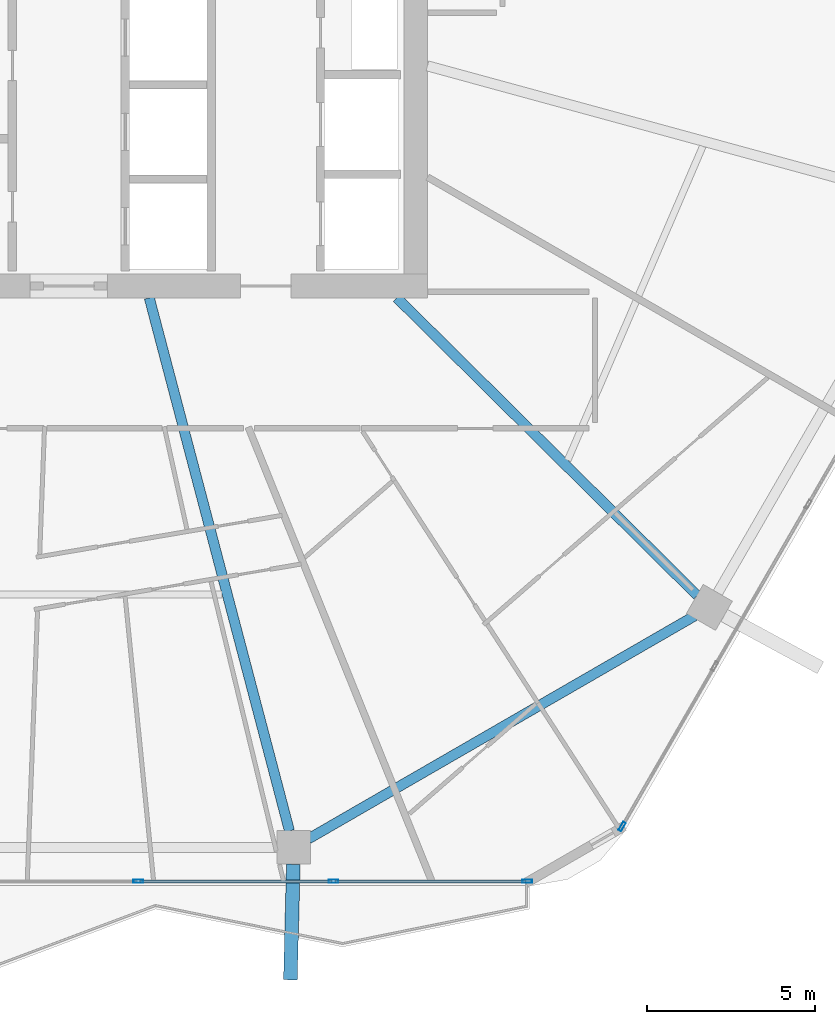
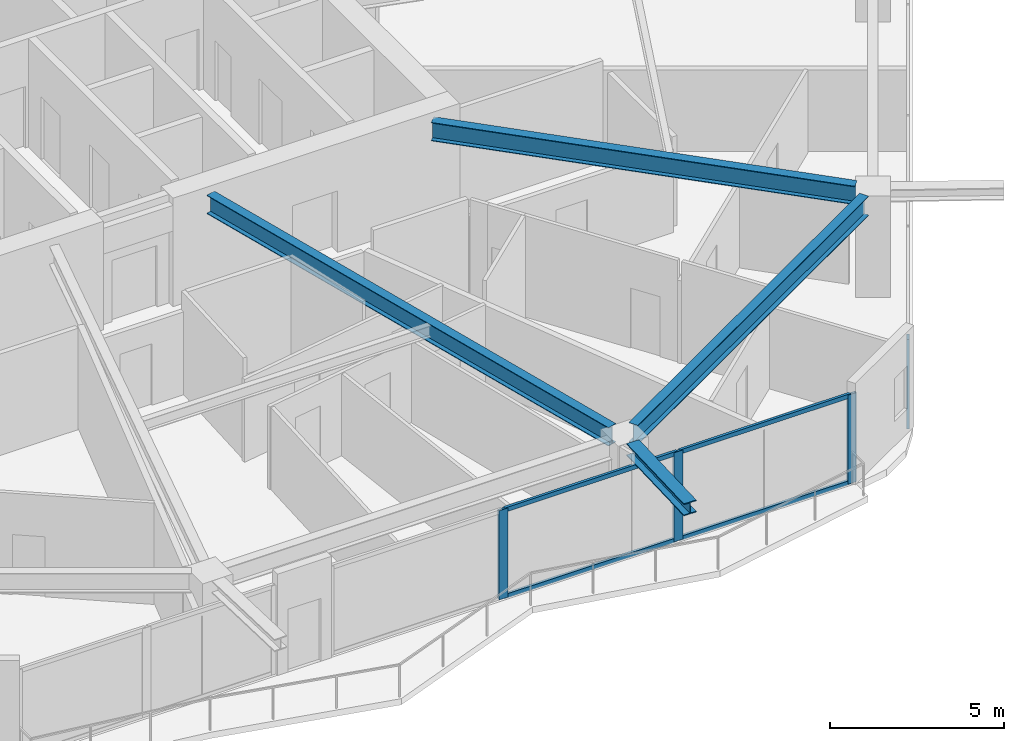
# One storey, part 7 of 25: 8 members, 4 beams, 2 elements without a shape of their own.
"""IFC4 building model written with IfcOpenShell, lengths in metres."""

import ifcopenshell
import ifcopenshell.guid

model = None  # the IFC model being written
_history = None  # IfcOwnerHistory: only IFC2X3 demands one
_inside = {}  # id of a spatial element -> (the spatial element, [elements in it])
_under = {}  # id of a project, library or spatial element -> (it, [spatial elements below it])
_declared = {}  # id of a project -> (the project, [libraries it declares])
_typed = {}  # id of a type object -> (the type object, [elements of that type])
_made_of = {}  # id of a material, layer set ... -> (it, [elements and type objects made of it])


def new_model(schema):
    """Start an empty IFC model of exactly this schema.

    Asked for "IFC4X3", IfcOpenShell would pick the latest addendum, in which some entities
    have other attributes; the version numbers below select the first issue.
    IFC2X3 requires an IfcOwnerHistory on every rooted entity: one is made here for all.
    """
    global model, _history
    if schema == "IFC4X3":
        model = ifcopenshell.file(schema_version=(4, 3, 0, 0))
    else:
        model = ifcopenshell.file(schema=schema)
    _inside.clear()
    _under.clear()
    _declared.clear()
    _typed.clear()
    _made_of.clear()
    _history = None
    if model.schema == "IFC2X3":
        org = make("IfcOrganization", Name="unknown")
        user = make(
            "IfcPersonAndOrganization",
            ThePerson=make("IfcPerson", FamilyName="unknown"),
            TheOrganization=org,
        )
        app = make(
            "IfcApplication",
            ApplicationDeveloper=org,
            Version="unknown",
            ApplicationFullName="unknown",
            ApplicationIdentifier="unknown",
        )
        _history = make(
            "IfcOwnerHistory",
            OwningUser=user,
            OwningApplication=app,
            ChangeAction="ADDED",
            CreationDate=0,
        )
    return model


def make(cls, **values):
    """One entity of the class cls with the attributes given. An attribute that is None is left unset."""
    return model.create_entity(
        cls, **{name: value for name, value in values.items() if value is not None}
    )


def rooted(cls, **values):
    """An entity with a GlobalId (a new one), such as an element, a storey or a relation."""
    return make(cls, GlobalId=ifcopenshell.guid.new(), OwnerHistory=_history, **values)


def si_unit(unit_type, name, prefix=None):
    """IfcSIUnit, for example si_unit("LENGTHUNIT", "METRE", prefix="MILLI")."""
    return make("IfcSIUnit", UnitType=unit_type, Prefix=prefix, Name=name)


def assignment(units):
    """IfcUnitAssignment: the units of a project."""
    return None if units is None else make("IfcUnitAssignment", Units=units)


def point(xyz):
    """IfcCartesianPoint."""
    return None if xyz is None else make("IfcCartesianPoint", Coordinates=xyz)


def direction(xyz):
    """IfcDirection."""
    return None if xyz is None else make("IfcDirection", DirectionRatios=xyz)


def frame(location, z_axis=None, x_axis=None):
    """IfcAxis2Placement3D, a coordinate frame: its origin and axes. An axis left out is left unset."""
    return make(
        "IfcAxis2Placement3D",
        Location=point(location),
        Axis=direction(z_axis),
        RefDirection=direction(x_axis),
    )


def frame_2d(location, x_axis=None):
    """IfcAxis2Placement2D, a coordinate frame in the plane: its origin and x axis."""
    return make(
        "IfcAxis2Placement2D", Location=point(location), RefDirection=direction(x_axis)
    )


def origin():
    """The frame at (0, 0, 0) with its axes left unset."""
    return frame((0.0, 0.0, 0.0))


def origin_2d():
    """The frame at (0, 0) in the plane with its x axis left unset."""
    return frame_2d((0.0, 0.0))


def place(relative_to, where):
    """IfcLocalPlacement: puts the frame where relative to a parent placement (None: the world)."""
    return make(
        "IfcLocalPlacement", PlacementRelTo=relative_to, RelativePlacement=where
    )


def context(
    kind, dimensions, precision=None, world=None, true_north=None, identifier=None
):
    """IfcGeometricRepresentationContext, for example the 3D "Model" context."""
    return make(
        "IfcGeometricRepresentationContext",
        ContextIdentifier=identifier,
        ContextType=kind,
        CoordinateSpaceDimension=dimensions,
        Precision=precision,
        WorldCoordinateSystem=world,
        TrueNorth=true_north,
    )


def subcontext(parent, identifier, kind, view, scale=None):
    """IfcGeometricRepresentationSubContext, for example "Body" below "Model"."""
    return make(
        "IfcGeometricRepresentationSubContext",
        ContextIdentifier=identifier,
        ContextType=kind,
        ParentContext=parent,
        TargetScale=scale,
        TargetView=view,
    )


def project(units=None, contexts=None):
    """IfcProject with its units and contexts."""
    return rooted(
        "IfcProject",
        Name="project",
        RepresentationContexts=contexts,
        UnitsInContext=assignment(units),
    )


def spatial(cls, under=None, at=None, **own):
    """A site, building, storey or space (cls), placed at a placement, below another one or the project."""
    s = rooted(cls, ObjectPlacement=at, **own)
    if under is not None:
        _under.setdefault(under.id(), (under, []))[1].append(s)
    return s


def profile(cls, at=None, kind="AREA", **sizes):
    """A parametric profile (cls). Its sizes go by their IFC names, for example OverallWidth=200.0."""
    return make(cls, ProfileType=kind, Position=at, **sizes)


def hollow_rectangle(**sizes):
    """IfcRectangleHollowProfileDef."""
    return profile("IfcRectangleHollowProfileDef", **sizes)


def i_section(**sizes):
    """IfcIShapeProfileDef."""
    return profile("IfcIShapeProfileDef", **sizes)


def extrude(swept, where, along, depth):
    """IfcExtrudedAreaSolid: the profile swept, set in the frame where, extruded along a direction by depth."""
    return make(
        "IfcExtrudedAreaSolid",
        SweptArea=swept,
        Position=where,
        ExtrudedDirection=direction(along),
        Depth=depth,
    )


def shape(context_of_items, identifier, shape_type, items):
    """IfcShapeRepresentation: the items that make up one representation, for example the "Body"."""
    return make(
        "IfcShapeRepresentation",
        ContextOfItems=context_of_items,
        RepresentationIdentifier=identifier,
        RepresentationType=shape_type,
        Items=items,
    )


def material(Name=None, Category=None):
    """IfcMaterial."""
    return make("IfcMaterial", Name=Name, Category=Category)


def material_profile(
    of_material, cross_section, Name=None, Category=None, Priority=None
):
    """IfcMaterialProfile: a cross section and its material."""
    return make(
        "IfcMaterialProfile",
        Name=Name,
        Material=of_material,
        Profile=cross_section,
        Priority=Priority,
        Category=Category,
    )


def profile_set(profiles, Name=None, composite=None):
    """IfcMaterialProfileSet."""
    return make(
        "IfcMaterialProfileSet",
        Name=Name,
        MaterialProfiles=profiles,
        CompositeProfile=composite,
    )


def made_of(thing, what):
    """Note that an element or type object is made of a material, layer set ...; save() writes the relation."""
    if what is not None:
        _made_of.setdefault(what.id(), (what, []))[1].append(thing)
    return thing


def type_object(cls, material=None, **own):
    """A type object (cls), such as IfcWallType, which elements share."""
    return made_of(rooted(cls, **own), material)


def element(
    cls,
    number,
    at=None,
    inside=None,
    cuts=None,
    type_object=None,
    material=None,
    context=None,
    identifier="Body",
    shape_type=None,
    held_by="IfcProductDefinitionShape",
    body=None,
    shapes=None,
    **own,
):
    """One element of the class cls, such as IfcWall. Its Tag is "e" and its number.

    at: its placement. inside: the storey or other place that contains it. cuts: it is an
    opening in that element (IfcRelVoidsElement). A single representation is given by context,
    identifier, shape_type and body (its items); several are given by shapes. held_by: the class
    of the entity that holds the representations. save() writes the other relations.
    """
    e = rooted(cls, Tag="e%d" % number, ObjectPlacement=at, **own)
    if body is not None:
        shapes = [shape(context, identifier, shape_type, body)]
    if shapes is not None:
        e.Representation = make(held_by, Representations=shapes)
    if inside is not None:
        _inside.setdefault(inside.id(), (inside, []))[1].append(e)
    if cuts is not None:
        rooted(
            "IfcRelVoidsElement", RelatingBuildingElement=cuts, RelatedOpeningElement=e
        )
    if type_object is not None:
        _typed.setdefault(type_object.id(), (type_object, []))[1].append(e)
    return made_of(e, material)


def aggregate(whole, parts):
    """IfcRelAggregates: a whole, such as a stair, and the parts it consists of."""
    return rooted("IfcRelAggregates", RelatingObject=whole, RelatedObjects=parts)


def save(model, path):
    """Write the relations noted so far, then the file.

    IfcRelAggregates (storeys below a building ...), IfcRelContainedInSpatialStructure (elements
    in a storey), IfcRelDefinesByType, IfcRelAssociatesMaterial and IfcRelDeclares: one each for
    every whole, place, type object, material and project.
    """
    for whole, parts in _under.values():
        aggregate(whole, parts)
    for where, things in _inside.values():
        rooted(
            "IfcRelContainedInSpatialStructure",
            RelatedElements=things,
            RelatingStructure=where,
        )
    for kind, things in _typed.values():
        rooted("IfcRelDefinesByType", RelatedObjects=things, RelatingType=kind)
    for what, things in _made_of.values():
        rooted("IfcRelAssociatesMaterial", RelatedObjects=things, RelatingMaterial=what)
    for by, libraries in _declared.values():
        rooted("IfcRelDeclares", RelatingContext=by, RelatedDefinitions=libraries)
    model.write(path)


model = new_model("IFC4")

# Units and contexts
model_context = context("Model", 3, precision=1e-05, world=origin(), true_north=direction((0.0, 1.0)))
body_context = subcontext(model_context, "Body", "Model", "MODEL_VIEW")
ifc_project = project(units=[si_unit("LENGTHUNIT", "METRE"), si_unit("AREAUNIT", "SQUARE_METRE"), si_unit("VOLUMEUNIT", "CUBIC_METRE"), si_unit("PLANEANGLEUNIT", "RADIAN"), si_unit("MASSUNIT", "GRAM", prefix="KILO")], contexts=[model_context])

# Site, building, storey
site_placement = place(None, origin())
site = spatial("IfcSite", under=ifc_project, at=site_placement, CompositionType="ELEMENT")
building_placement = place(site_placement, origin())
building = spatial("IfcBuilding", under=site, at=building_placement, Name="Zuhravey Tower", CompositionType="ELEMENT")
storey_placement = place(building_placement, frame((0.0, 0.0, 150.39990234375)))
storey = spatial("IfcBuildingStorey", under=building, at=storey_placement, Name="L37", CompositionType="ELEMENT", Elevation=150.39990234375)

# Curtain wall, member
ifc_material_1 = material(Name="Thermally broken anodised aluminium", Category="aluminium")
curtain_wall_type = type_object("IfcCurtainWallType", Name="Zone 1-2 Residential Curtain Wall CW3", PredefinedType="NOTDEFINED", material=ifc_material_1)
curtain_wall_1_placement = place(storey_placement, origin())
curtain_wall_1 = element("IfcCurtainWall", 1, at=curtain_wall_1_placement, inside=storey, type_object=curtain_wall_type, Name="L37 CW3 CW-L37-F6-1", PredefinedType="NOTDEFINED")
ifc_material_2 = material(Name="Anodised aluminium", Category="aluminium")
ifc_material_profile_1 = material_profile(ifc_material_2, hollow_rectangle(XDim=0.090087890625, YDim=0.284912109375, WallThickness=0.0048828125, at=origin_2d()), Name="ALU-RHS-90x285x5")
ifc_profile_set_1 = profile_set([ifc_material_profile_1], Name="Anodised aluminium")
member_type_1 = type_object("IfcMemberType", Name="Curtain-Wall Mullion 90x180", PredefinedType="MULLION", material=ifc_profile_set_1)
member_1_placement = place(storey_placement, frame((52.63330078125, 6.443359375, 0.0), z_axis=(0.0, 0.0, 1.0), x_axis=(0.866025138215, -0.500000459979, 0.0)))
member_1 = element("IfcMember", 2, at=member_1_placement, type_object=member_type_1, Name="CW3 mullion 6", PredefinedType="MULLION", context=body_context, shape_type="SweptSolid", body=[
    extrude(hollow_rectangle(XDim=0.090087890625, YDim=0.284912109375, WallThickness=0.0048828125, at=origin_2d()), origin(), (0.0, 0.0, 1.0), 3.1220703125),
])
aggregate(curtain_wall_1, [member_1])

# Curtain wall, members
curtain_wall_2_placement = place(storey_placement, origin())
curtain_wall_2 = element("IfcCurtainWall", 3, at=curtain_wall_2_placement, inside=storey, type_object=curtain_wall_type, Name="L37 CW3 CW-L37-F5-1", PredefinedType="NOTDEFINED")
member_2_placement = place(storey_placement, frame((49.816162109375, 4.81689453125, 0.0), z_axis=(0.0, 0.0, 1.0), x_axis=(0.0, -1.0, 0.0)))
member_2 = element("IfcMember", 4, at=member_2_placement, type_object=member_type_1, Name="CW3 mullion 1", PredefinedType="MULLION", context=body_context, shape_type="SweptSolid", body=[
    extrude(hollow_rectangle(XDim=0.090087890625, YDim=0.284912109375, WallThickness=0.0048828125, at=origin_2d()), origin(), (0.0, 0.0, 1.0), 3.1220703125),
])
member_3_placement = place(storey_placement, frame((44.062255859375, 4.81689453125, 0.0), z_axis=(0.0, 0.0, 1.0), x_axis=(0.0, -1.0, 0.0)))
member_3 = element("IfcMember", 5, at=member_3_placement, type_object=member_type_1, Name="CW3 mullion 2", PredefinedType="MULLION", context=body_context, shape_type="SweptSolid", body=[
    extrude(hollow_rectangle(XDim=0.090087890625, YDim=0.284912109375, WallThickness=0.0048828125, at=origin_2d()), origin(), (0.0, 0.0, 1.0), 3.1220703125),
])
member_4_placement = place(storey_placement, frame((38.263427734375, 4.81689453125, 0.0), z_axis=(0.0, 0.0, 1.0), x_axis=(0.0, -1.0, 0.0)))
member_4 = element("IfcMember", 6, at=member_4_placement, type_object=member_type_1, Name="CW3 mullion 3", PredefinedType="MULLION", context=body_context, shape_type="SweptSolid", body=[
    extrude(hollow_rectangle(XDim=0.090087890625, YDim=0.284912109375, WallThickness=0.0048828125, at=origin_2d()), origin(), (0.0, 0.0, 1.0), 3.1220703125),
])
ifc_material_profile_2 = material_profile(ifc_material_2, hollow_rectangle(XDim=0.090087890625, YDim=0.14990234375, WallThickness=0.0048828125, at=origin_2d()), Name="ALU-RHS-90x150x5")
ifc_profile_set_2 = profile_set([ifc_material_profile_2], Name="Anodised aluminium")
member_type_2 = type_object("IfcMemberType", Name="Curtain-Wall Transom 90x150", PredefinedType="USERDEFINED", material=ifc_profile_set_2)
member_5_placement = place(storey_placement, frame((49.77099609375, 4.81689453125, 0.045166015625), z_axis=(-1.0, 0.0, 0.0), x_axis=(0.0, -1.0, 0.0)))
member_5 = element("IfcMember", 7, at=member_5_placement, type_object=member_type_2, Name="CW3 transom 1.1", ObjectType="TRANSOM", PredefinedType="USERDEFINED", context=body_context, shape_type="SweptSolid", body=[
    extrude(hollow_rectangle(XDim=0.090087890625, YDim=0.14990234375, WallThickness=0.0048828125, at=origin_2d()), origin(), (0.0, 0.0, 1.0), 5.663818359375),
])
member_6_placement = place(storey_placement, frame((49.77099609375, 4.81689453125, 3.0771484375), z_axis=(-1.0, 0.0, 0.0), x_axis=(0.0, -1.0, 0.0)))
member_6 = element("IfcMember", 8, at=member_6_placement, type_object=member_type_2, Name="CW3 transom 1.2", ObjectType="TRANSOM", PredefinedType="USERDEFINED", context=body_context, shape_type="SweptSolid", body=[
    extrude(hollow_rectangle(XDim=0.090087890625, YDim=0.14990234375, WallThickness=0.0048828125, at=origin_2d()), origin(), (0.0, 0.0, 1.0), 5.663818359375),
])
member_7_placement = place(storey_placement, frame((44.017333984375, 4.81689453125, 0.045166015625), z_axis=(-1.0, 0.0, 0.0), x_axis=(0.0, -1.0, 0.0)))
member_7 = element("IfcMember", 9, at=member_7_placement, type_object=member_type_2, Name="CW3 transom 2.1", ObjectType="TRANSOM", PredefinedType="USERDEFINED", context=body_context, shape_type="SweptSolid", body=[
    extrude(hollow_rectangle(XDim=0.090087890625, YDim=0.14990234375, WallThickness=0.0048828125, at=origin_2d()), origin(), (0.0, 0.0, 1.0), 5.708984375),
])
member_8_placement = place(storey_placement, frame((44.017333984375, 4.81689453125, 3.0771484375), z_axis=(-1.0, 0.0, 0.0), x_axis=(0.0, -1.0, 0.0)))
member_8 = element("IfcMember", 10, at=member_8_placement, type_object=member_type_2, Name="CW3 transom 2.2", ObjectType="TRANSOM", PredefinedType="USERDEFINED", context=body_context, shape_type="SweptSolid", body=[
    extrude(hollow_rectangle(XDim=0.090087890625, YDim=0.14990234375, WallThickness=0.0048828125, at=origin_2d()), origin(), (0.0, 0.0, 1.0), 5.708984375),
])
aggregate(curtain_wall_2, [member_2, member_3, member_4, member_5, member_6, member_7, member_8])

# Beams
ifc_material_3 = material(Name="Steel SM460", Category="steel")
ifc_material_profile_3 = material_profile(ifc_material_3, i_section(OverallWidth=0.406982421875, OverallDepth=0.427978515625, WebThickness=0.02001953125, FlangeThickness=0.034912109375, at=origin_2d()), Name="H-428x407x20x35")
ifc_profile_set_3 = profile_set([ifc_material_profile_3], Name="Steel SM460")
beam_type_1 = type_object("IfcBeamType", Name="Exoskeleton Node Tie Beam H428x407", PredefinedType="BEAM", material=ifc_profile_set_3)
beam_1_placement = place(storey_placement, frame((42.869140625, 5.322998046875, 3.336181640625), z_axis=(-0.025535999093, -0.999673903206, 0.0), x_axis=(0.999673903206, -0.025535999093, 0.0)))
element("IfcBeam", 11, at=beam_1_placement, inside=storey, type_object=beam_type_1, Name="L37 Exoskeleton Node Tie NT1-10", PredefinedType="BEAM", context=body_context, shape_type="SweptSolid", body=[
    extrude(i_section(OverallWidth=0.406982421875, OverallDepth=0.427978515625, WebThickness=0.02001953125, FlangeThickness=0.034912109375, at=origin_2d()), origin(), (0.0, 0.0, 1.0), 3.432373046875),
])
ifc_material_4 = material(Name="Steel SM355", Category="steel")
ifc_material_profile_4 = material_profile(ifc_material_4, i_section(OverallWidth=0.300048828125, OverallDepth=0.679931640625, WebThickness=0.012939453125, FlangeThickness=0.02197265625, at=origin_2d()), Name="H-680x300x13x22")
ifc_profile_set_4 = profile_set([ifc_material_profile_4], Name="Steel SM355")
beam_type_2 = type_object("IfcBeamType", Name="Perimeter Ring Beam H680x300", PredefinedType="BEAM", material=ifc_profile_set_4)
beam_2_placement = place(storey_placement, frame((43.317626953125, 6.078369140625, 3.210205078125), z_axis=(0.866022923061, 0.500004296715, 0.0), x_axis=(-0.500004296715, 0.866022923061, 0.0)))
element("IfcBeam", 12, at=beam_2_placement, inside=storey, type_object=beam_type_2, Name="L37 PB2 BM-L37-PB-10", PredefinedType="BEAM", context=body_context, shape_type="SweptSolid", body=[
    extrude(i_section(OverallWidth=0.300048828125, OverallDepth=0.679931640625, WebThickness=0.012939453125, FlangeThickness=0.02197265625, at=origin_2d()), origin(), (0.0, 0.0, 1.0), 13.2470703125),
])
ifc_material_profile_5 = material_profile(ifc_material_4, i_section(OverallWidth=0.300048828125, OverallDepth=0.64990234375, WebThickness=0.012939453125, FlangeThickness=0.02197265625, at=origin_2d()), Name="H-650x300x13x22")
ifc_profile_set_5 = profile_set([ifc_material_profile_5], Name="Steel SM355")
beam_type_3 = type_object("IfcBeamType", Name="Radial Primary Girder H650x300", PredefinedType="BEAM", material=ifc_profile_set_5)
beam_3_placement = place(storey_placement, frame((38.5908203125, 22.14697265625, 3.22509765625), z_axis=(0.254300244998, -0.967125320418, 0.0), x_axis=(0.967125320418, 0.254300244998, 0.0)))
element("IfcBeam", 13, at=beam_3_placement, inside=storey, type_object=beam_type_3, Name="L37 RG2 BM-L37-RAD-10", PredefinedType="BEAM", context=body_context, shape_type="SweptSolid", body=[
    extrude(i_section(OverallWidth=0.300048828125, OverallDepth=0.64990234375, WebThickness=0.012939453125, FlangeThickness=0.02197265625, at=origin_2d()), origin(), (0.0, 0.0, 1.0), 16.371826171875),
])
beam_4_placement = place(storey_placement, frame((45.945556640625, 22.14697265625, 3.22509765625), z_axis=(0.71040353357, -0.703794586148, 0.0), x_axis=(0.703794586148, 0.71040353357, 0.0)))
element("IfcBeam", 14, at=beam_4_placement, inside=storey, type_object=beam_type_3, Name="L37 RG2 BM-L37-RAD-11", PredefinedType="BEAM", context=body_context, shape_type="SweptSolid", body=[
    extrude(i_section(OverallWidth=0.300048828125, OverallDepth=0.64990234375, WebThickness=0.012939453125, FlangeThickness=0.02197265625, at=origin_2d()), origin(), (0.0, 0.0, 1.0), 12.559814453125),
])

save(model, "model.ifc")
